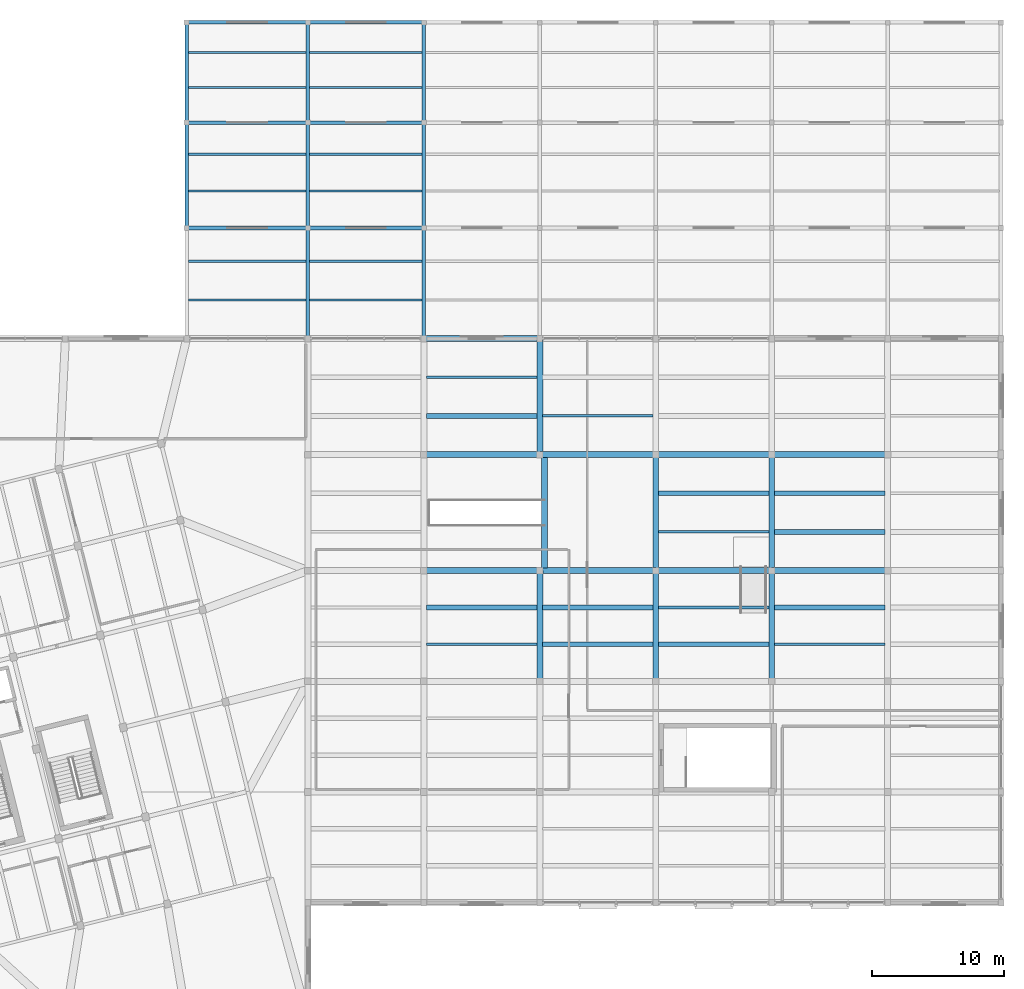
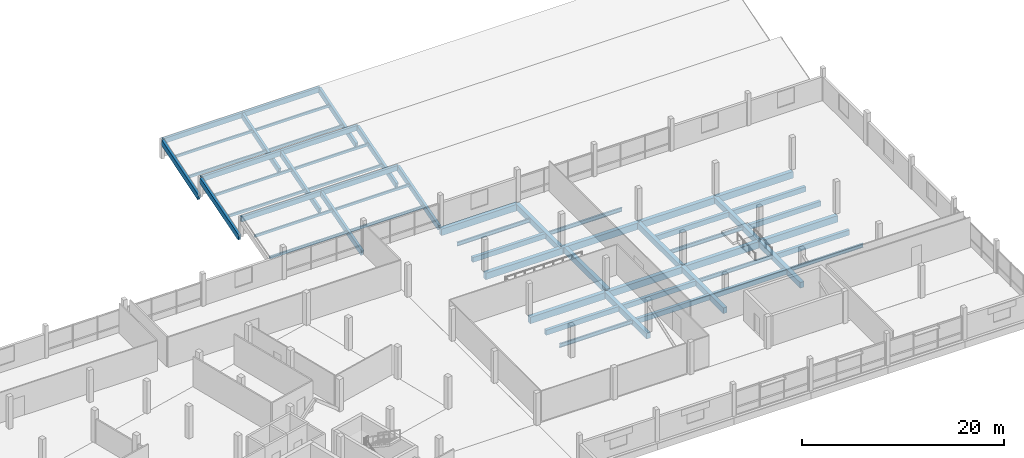
# One storey, part 42 of 62: 45 beams, 12 members.
"""IFC4 building model written with IfcOpenShell, lengths in metres."""

from ifc_helpers import new_model, si_unit, direction, frame, origin, origin_2d, place, context, subcontext, project, spatial, rectangle, i_section, extrude, material, material_profile, profile_set, type_object, element, save


model = new_model("IFC4")

# Units and contexts
model_context = context("Model", 3, precision=1e-05, world=origin(), true_north=direction((0.0, 1.0)))
body_context = subcontext(model_context, "Body", "Model", "MODEL_VIEW")
ifc_project = project(units=[si_unit("LENGTHUNIT", "METRE"), si_unit("AREAUNIT", "SQUARE_METRE"), si_unit("VOLUMEUNIT", "CUBIC_METRE"), si_unit("PLANEANGLEUNIT", "RADIAN"), si_unit("MASSUNIT", "GRAM", prefix="KILO")], contexts=[model_context])

# Site, building, storey
site_placement = place(None, origin())
site = spatial("IfcSite", under=ifc_project, at=site_placement, CompositionType="ELEMENT")
building_placement = place(site_placement, origin())
building = spatial("IfcBuilding", under=site, at=building_placement, Name="Meriwether Solvik Hall", CompositionType="ELEMENT")
storey_placement = place(building_placement, frame((0.0, 0.0, 14.39990234375)))
storey = spatial("IfcBuildingStorey", under=building, at=storey_placement, Name="L03", CompositionType="ELEMENT", Elevation=14.39990234375)

# Beams
ifc_material_1 = material(Name="Glulam Douglas-Fir 24F-V8 GL28h", Category="wood")
ifc_material_profile_1 = material_profile(ifc_material_1, rectangle(XDim=0.27294921875, YDim=0.610107421875, at=origin_2d()), Name="GLB-273X610")
ifc_profile_set_1 = profile_set([ifc_material_profile_1], Name="Glulam Douglas-Fir 24F-V8 GL28h")
beam_type_1 = type_object("IfcBeamType", Name="BM-GL-273X610", PredefinedType="SPANDREL", material=ifc_profile_set_1)
beam_1_placement = place(storey_placement, frame((105.0, 101.199951171875, 2.055908203125), z_axis=(1.0, 0.0, 0.0), x_axis=(0.0, 1.0, 0.0)))
element("IfcBeam", 1, at=beam_1_placement, inside=storey, type_object=beam_type_1, Name="Roof Tie Beam L:12-13 (L03)", PredefinedType="SPANDREL", context=body_context, shape_type="SweptSolid", body=[
    extrude(rectangle(XDim=0.27294921875, YDim=0.610107421875, at=origin_2d()), origin(), (0.0, 0.0, 1.0), 9.199951171875),
])
beam_2_placement = place(storey_placement, frame((114.199951171875, 101.199951171875, 2.055908203125), z_axis=(1.0, 0.0, 0.0), x_axis=(0.0, 1.0, 0.0)))
element("IfcBeam", 2, at=beam_2_placement, inside=storey, type_object=beam_type_1, Name="Roof Tie Beam L:13-14 (L03)", PredefinedType="SPANDREL", context=body_context, shape_type="SweptSolid", body=[
    extrude(rectangle(XDim=0.27294921875, YDim=0.610107421875, at=origin_2d()), origin(), (0.0, 0.0, 1.0), 8.800048828125),
])
beam_3_placement = place(storey_placement, frame((105.0, 109.199951171875, 2.05517578125), z_axis=(1.0, 0.0, 0.0), x_axis=(0.0, 1.0, 0.0)))
element("IfcBeam", 3, at=beam_3_placement, inside=storey, type_object=beam_type_1, Name="Roof Tie Beam M:12-13 (L03)", PredefinedType="SPANDREL", context=body_context, shape_type="SweptSolid", body=[
    extrude(rectangle(XDim=0.27294921875, YDim=0.610107421875, at=origin_2d()), origin(), (0.0, 0.0, 1.0), 9.199951171875),
])
beam_4_placement = place(storey_placement, frame((114.199951171875, 109.199951171875, 2.05517578125), z_axis=(1.0, 0.0, 0.0), x_axis=(0.0, 1.0, 0.0)))
element("IfcBeam", 4, at=beam_4_placement, inside=storey, type_object=beam_type_1, Name="Roof Tie Beam M:13-14 (L03)", PredefinedType="SPANDREL", context=body_context, shape_type="SweptSolid", body=[
    extrude(rectangle(XDim=0.27294921875, YDim=0.610107421875, at=origin_2d()), origin(), (0.0, 0.0, 1.0), 8.800048828125),
])
beam_5_placement = place(storey_placement, frame((105.0, 116.800048828125, 2.054443359375), z_axis=(1.0, 0.0, 0.0), x_axis=(0.0, 1.0, 0.0)))
element("IfcBeam", 5, at=beam_5_placement, inside=storey, type_object=beam_type_1, Name="Roof Tie Beam N:12-13 (L03)", PredefinedType="SPANDREL", context=body_context, shape_type="SweptSolid", body=[
    extrude(rectangle(XDim=0.27294921875, YDim=0.610107421875, at=origin_2d()), origin(), (0.0, 0.0, 1.0), 9.199951171875),
])
beam_6_placement = place(storey_placement, frame((114.199951171875, 116.800048828125, 2.054443359375), z_axis=(1.0, 0.0, 0.0), x_axis=(0.0, 1.0, 0.0)))
element("IfcBeam", 6, at=beam_6_placement, inside=storey, type_object=beam_type_1, Name="Roof Tie Beam N:13-14 (L03)", PredefinedType="SPANDREL", context=body_context, shape_type="SweptSolid", body=[
    extrude(rectangle(XDim=0.27294921875, YDim=0.610107421875, at=origin_2d()), origin(), (0.0, 0.0, 1.0), 8.800048828125),
])
ifc_material_2 = material(Name="Glulam Douglas-Fir 24F-V8 GL28h", Category="wood")
ifc_material_profile_2 = material_profile(ifc_material_2, rectangle(XDim=0.27294921875, YDim=0.68505859375, at=origin_2d()), Name="GLB-273X685")
ifc_profile_set_2 = profile_set([ifc_material_profile_2], Name="Glulam Douglas-Fir 24F-V8 GL28h")
beam_type_2 = type_object("IfcBeamType", Name="BM-GL-273X685", PredefinedType="BEAM", material=ifc_profile_set_2)
for number, where, z_axis, x_axis, name in (
    (7, (114.199951171875, 93.021484375, -0.3125), (0.0, 0.962120295862, 0.272625267155), (-1.0, 0.0, 0.0), "Raking Glulam Roof Rafter w2_saw_1-13 (L03)"),
    (8, (123.0, 93.021484375, -0.3125), (0.0, 0.962120295862, 0.272625267155), (-1.0, 0.0, 0.0), "Raking Glulam Roof Rafter w2_saw_1-14 (L03)"),
):
    element("IfcBeam", number, at=place(storey_placement, frame(where, z_axis=z_axis, x_axis=x_axis)), inside=storey, type_object=beam_type_2, Name=name, PredefinedType="BEAM", context=body_context, shape_type="SweptSolid", body=[
        extrude(rectangle(XDim=0.27294921875, YDim=0.68505859375, at=origin_2d()), origin(), (0.0, 0.0, 1.0), 8.46435546875),
    ])
for number, where, z_axis, x_axis, name in (
    (9, (105.0, 101.42578125, -0.31005859375), (0.0, 0.958478334476, 0.285165359641), (-1.0, 0.0, 0.0), "Raking Glulam Roof Rafter w2_saw_2-12 (L03)"),
    (10, (114.199951171875, 101.42578125, -0.31005859375), (0.0, 0.958478334476, 0.285165359641), (-1.0, 0.0, 0.0), "Raking Glulam Roof Rafter w2_saw_2-13 (L03)"),
    (11, (123.0, 101.42578125, -0.31005859375), (0.0, 0.958478334476, 0.285165359641), (-1.0, 0.0, 0.0), "Raking Glulam Roof Rafter w2_saw_2-14 (L03)"),
):
    element("IfcBeam", number, at=place(storey_placement, frame(where, z_axis=z_axis, x_axis=x_axis)), inside=storey, type_object=beam_type_2, Name=name, PredefinedType="BEAM", context=body_context, shape_type="SweptSolid", body=[
        extrude(rectangle(XDim=0.27294921875, YDim=0.68505859375, at=origin_2d()), origin(), (0.0, 0.0, 1.0), 8.079345703125),
    ])
for number, where, z_axis, x_axis, name in (
    (12, (105.0, 109.430419921875, -0.307373046875), (0.0, 0.954301993673, 0.298843947356), (-1.0, 0.0, 0.0), "Raking Glulam Roof Rafter w2_saw_3-12 (L03)"),
    (13, (114.199951171875, 109.430419921875, -0.307373046875), (0.0, 0.954301993673, 0.298843947356), (-1.0, 0.0, 0.0), "Raking Glulam Roof Rafter w2_saw_3-13 (L03)"),
    (14, (123.0, 109.430419921875, -0.307373046875), (0.0, 0.954301993673, 0.298843947356), (-1.0, 0.0, 0.0), "Raking Glulam Roof Rafter w2_saw_3-14 (L03)"),
):
    element("IfcBeam", number, at=place(storey_placement, frame(where, z_axis=z_axis, x_axis=x_axis)), inside=storey, type_object=beam_type_2, Name=name, PredefinedType="BEAM", context=body_context, shape_type="SweptSolid", body=[
        extrude(rectangle(XDim=0.27294921875, YDim=0.68505859375, at=origin_2d()), origin(), (0.0, 0.0, 1.0), 7.695556640625),
    ])
ifc_material_3 = material(Name="Concrete C40/50", Category="concrete")
ifc_material_profile_3 = material_profile(ifc_material_3, rectangle(XDim=0.35009765625, YDim=0.60009765625, at=origin_2d()), Name="RCB-350X600")
ifc_profile_set_3 = profile_set([ifc_material_profile_3], Name="Concrete C40/50")
beam_type_3 = type_object("IfcBeamType", Name="BM-RC-350X600", PredefinedType="JOIST", material=ifc_profile_set_3)
for number, where, z_axis, x_axis, name in (
    (15, (123.219970703125, 72.39990234375, -0.544921875), (1.0, 0.0, 0.0), (0.0, 1.0, 0.0), "Secondary Floor Joist 14/H_J2 (L03)"),
    (16, (123.219970703125, 86.933349609375, -0.544921875), (1.0, 0.0, 0.0), (0.0, 1.0, 0.0), "Secondary Floor Joist 14/J_J1 (L03)"),
):
    element("IfcBeam", number, at=place(storey_placement, frame(where, z_axis=z_axis, x_axis=x_axis)), inside=storey, type_object=beam_type_3, Name=name, PredefinedType="JOIST", context=body_context, shape_type="SweptSolid", body=[
        extrude(rectangle(XDim=0.35009765625, YDim=0.60009765625, at=origin_2d()), origin(), (0.0, 0.0, 1.0), 8.360107421875),
    ])
for number, where, z_axis, x_axis, name in (
    (17, (132.02001953125, 69.60009765625, -0.544921875), (1.0, 0.0, 0.0), (0.0, 1.0, 0.0), "Secondary Floor Joist 15/H_J1 (L03)"),
    (18, (132.02001953125, 72.39990234375, -0.544921875), (1.0, 0.0, 0.0), (0.0, 1.0, 0.0), "Secondary Floor Joist 15/H_J2 (L03)"),
    (19, (140.820068359375, 69.60009765625, -0.544921875), (1.0, 0.0, 0.0), (0.0, 1.0, 0.0), "Secondary Floor Joist 16/H_J1 (L03)"),
    (20, (140.820068359375, 81.066650390625, -0.544921875), (1.0, 0.0, 0.0), (0.0, 1.0, 0.0), "Secondary Floor Joist 16/I_J2 (L03)"),
    (21, (149.6201171875, 72.39990234375, -0.544921875), (1.0, 0.0, 0.0), (0.0, 1.0, 0.0), "Secondary Floor Joist 17/H_J2 (L03)"),
    (22, (149.6201171875, 78.13330078125, -0.544921875), (1.0, 0.0, 0.0), (0.0, 1.0, 0.0), "Secondary Floor Joist 17/I_J1 (L03)"),
    (23, (149.6201171875, 81.066650390625, -0.544921875), (1.0, 0.0, 0.0), (0.0, 1.0, 0.0), "Secondary Floor Joist 17/I_J2 (L03)"),
):
    element("IfcBeam", number, at=place(storey_placement, frame(where, z_axis=z_axis, x_axis=x_axis)), inside=storey, type_object=beam_type_3, Name=name, PredefinedType="JOIST", context=body_context, shape_type="SweptSolid", body=[
        extrude(rectangle(XDim=0.35009765625, YDim=0.60009765625, at=origin_2d()), origin(), (0.0, 0.0, 1.0), 8.35986328125),
    ])
ifc_material_4 = material(Name="Concrete C40/50", Category="concrete")
ifc_material_profile_4 = material_profile(ifc_material_4, rectangle(XDim=0.449951171875, YDim=0.699951171875, at=origin_2d()), Name="RCB-450X700")
ifc_profile_set_4 = profile_set([ifc_material_profile_4], Name="Concrete C40/50")
beam_type_4 = type_object("IfcBeamType", Name="BM-RC-450X700", PredefinedType="BEAM", material=ifc_profile_set_4)
beam_7_placement = place(storey_placement, frame((131.800048828125, 66.800048828125, -0.594970703125), z_axis=(0.0, 1.0, 0.0), x_axis=(-1.0, 0.0, 0.0)))
element("IfcBeam", 24, at=beam_7_placement, inside=storey, type_object=beam_type_4, Name="Podium Girder 15:H-I (L03)", PredefinedType="BEAM", context=body_context, shape_type="SweptSolid", body=[
    extrude(rectangle(XDim=0.449951171875, YDim=0.699951171875, at=origin_2d()), origin(), (0.0, 0.0, 1.0), 8.39990234375),
])
beam_8_placement = place(storey_placement, frame((131.800048828125, 84.0, -0.594970703125), z_axis=(0.0, 1.0, 0.0), x_axis=(-1.0, 0.0, 0.0)))
element("IfcBeam", 25, at=beam_8_placement, inside=storey, type_object=beam_type_4, Name="Podium Girder 15:J-K (L03)", PredefinedType="BEAM", context=body_context, shape_type="SweptSolid", body=[
    extrude(rectangle(XDim=0.449951171875, YDim=0.699951171875, at=origin_2d()), origin(), (0.0, 0.0, 1.0), 8.800048828125),
])
beam_9_placement = place(storey_placement, frame((140.60009765625, 66.800048828125, -0.594970703125), z_axis=(0.0, 1.0, 0.0), x_axis=(-1.0, 0.0, 0.0)))
element("IfcBeam", 26, at=beam_9_placement, inside=storey, type_object=beam_type_4, Name="Podium Girder 16:H-I (L03)", PredefinedType="BEAM", context=body_context, shape_type="SweptSolid", body=[
    extrude(rectangle(XDim=0.449951171875, YDim=0.699951171875, at=origin_2d()), origin(), (0.0, 0.0, 1.0), 8.39990234375),
])
beam_10_placement = place(storey_placement, frame((140.60009765625, 75.199951171875, -0.594970703125), z_axis=(0.0, 1.0, 0.0), x_axis=(-1.0, 0.0, 0.0)))
element("IfcBeam", 27, at=beam_10_placement, inside=storey, type_object=beam_type_4, Name="Podium Girder 16:I-J (L03)", PredefinedType="BEAM", context=body_context, shape_type="SweptSolid", body=[
    extrude(rectangle(XDim=0.449951171875, YDim=0.699951171875, at=origin_2d()), origin(), (0.0, 0.0, 1.0), 8.800048828125),
])
beam_11_placement = place(storey_placement, frame((149.39990234375, 66.800048828125, -0.594970703125), z_axis=(0.0, 1.0, 0.0), x_axis=(-1.0, 0.0, 0.0)))
element("IfcBeam", 28, at=beam_11_placement, inside=storey, type_object=beam_type_4, Name="Podium Girder 17:H-I (L03)", PredefinedType="BEAM", context=body_context, shape_type="SweptSolid", body=[
    extrude(rectangle(XDim=0.449951171875, YDim=0.699951171875, at=origin_2d()), origin(), (0.0, 0.0, 1.0), 8.39990234375),
])
beam_12_placement = place(storey_placement, frame((149.39990234375, 75.199951171875, -0.594970703125), z_axis=(0.0, 1.0, 0.0), x_axis=(-1.0, 0.0, 0.0)))
element("IfcBeam", 29, at=beam_12_placement, inside=storey, type_object=beam_type_4, Name="Podium Girder 17:I-J (L03)", PredefinedType="BEAM", context=body_context, shape_type="SweptSolid", body=[
    extrude(rectangle(XDim=0.449951171875, YDim=0.699951171875, at=origin_2d()), origin(), (0.0, 0.0, 1.0), 8.800048828125),
])
beam_13_placement = place(storey_placement, frame((132.169921875, 75.4150390625, -0.594970703125), z_axis=(0.0, 1.0, 0.0), x_axis=(-1.0, 0.0, 0.0)))
element("IfcBeam", 30, at=beam_13_placement, inside=storey, type_object=beam_type_4, Name="Stair ST-LB3 Top Trimmer Beam", PredefinedType="BEAM", context=body_context, shape_type="SweptSolid", body=[
    extrude(rectangle(XDim=0.449951171875, YDim=0.699951171875, at=origin_2d()), origin(), (0.0, 0.0, 1.0), 8.369873046875),
])
ifc_material_5 = material(Name="Concrete C40/50", Category="concrete")
ifc_material_profile_5 = material_profile(ifc_material_5, rectangle(XDim=0.449951171875, YDim=0.800048828125, at=origin_2d()), Name="RCB-450X800")
ifc_profile_set_5 = profile_set([ifc_material_profile_5], Name="Concrete C40/50")
beam_type_5 = type_object("IfcBeamType", Name="BM-RC-450X800", PredefinedType="BEAM", material=ifc_profile_set_5)
for number, where, z_axis, x_axis, name in (
    (31, (123.0, 75.199951171875, -0.64501953125), (1.0, 0.0, 0.0), (0.0, 1.0, 0.0), "Podium Girder I:14-15 (L03)"),
    (32, (131.800048828125, 75.199951171875, -0.64501953125), (1.0, 0.0, 0.0), (0.0, 1.0, 0.0), "Podium Girder I:15-16 (L03)"),
):
    element("IfcBeam", number, at=place(storey_placement, frame(where, z_axis=z_axis, x_axis=x_axis)), inside=storey, type_object=beam_type_5, Name=name, PredefinedType="BEAM", context=body_context, shape_type="SweptSolid", body=[
        extrude(rectangle(XDim=0.449951171875, YDim=0.800048828125, at=origin_2d()), origin(), (0.0, 0.0, 1.0), 8.800048828125),
    ])
beam_14_placement = place(storey_placement, frame((140.60009765625, 75.199951171875, -0.64501953125), z_axis=(1.0, 0.0, 0.0), x_axis=(0.0, 1.0, 0.0)))
element("IfcBeam", 33, at=beam_14_placement, inside=storey, type_object=beam_type_5, Name="Podium Girder I:16-17 (L03)", PredefinedType="BEAM", context=body_context, shape_type="SweptSolid", body=[
    extrude(rectangle(XDim=0.449951171875, YDim=0.800048828125, at=origin_2d()), origin(), (0.0, 0.0, 1.0), 8.7998046875),
])
for number, where, z_axis, x_axis, name in (
    (34, (149.39990234375, 75.199951171875, -0.64501953125), (1.0, 0.0, 0.0), (0.0, 1.0, 0.0), "Podium Girder I:17-18 (L03)"),
    (35, (123.0, 84.0, -0.64501953125), (1.0, 0.0, 0.0), (0.0, 1.0, 0.0), "Podium Girder J:14-15 (L03)"),
    (36, (131.800048828125, 84.0, -0.64501953125), (1.0, 0.0, 0.0), (0.0, 1.0, 0.0), "Podium Girder J:15-16 (L03)"),
):
    element("IfcBeam", number, at=place(storey_placement, frame(where, z_axis=z_axis, x_axis=x_axis)), inside=storey, type_object=beam_type_5, Name=name, PredefinedType="BEAM", context=body_context, shape_type="SweptSolid", body=[
        extrude(rectangle(XDim=0.449951171875, YDim=0.800048828125, at=origin_2d()), origin(), (0.0, 0.0, 1.0), 8.800048828125),
    ])
beam_15_placement = place(storey_placement, frame((140.60009765625, 84.0, -0.64501953125), z_axis=(1.0, 0.0, 0.0), x_axis=(0.0, 1.0, 0.0)))
element("IfcBeam", 37, at=beam_15_placement, inside=storey, type_object=beam_type_5, Name="Podium Girder J:16-17 (L03)", PredefinedType="BEAM", context=body_context, shape_type="SweptSolid", body=[
    extrude(rectangle(XDim=0.449951171875, YDim=0.800048828125, at=origin_2d()), origin(), (0.0, 0.0, 1.0), 8.7998046875),
])
for number, where, z_axis, x_axis, name in (
    (38, (149.39990234375, 84.0, -0.64501953125), (1.0, 0.0, 0.0), (0.0, 1.0, 0.0), "Podium Girder J:17-18 (L03)"),
    (39, (123.0, 92.800048828125, -0.64501953125), (1.0, 0.0, 0.0), (0.0, 1.0, 0.0), "Podium Girder K:14-15 (L03)"),
):
    element("IfcBeam", number, at=place(storey_placement, frame(where, z_axis=z_axis, x_axis=x_axis)), inside=storey, type_object=beam_type_5, Name=name, PredefinedType="BEAM", context=body_context, shape_type="SweptSolid", body=[
        extrude(rectangle(XDim=0.449951171875, YDim=0.800048828125, at=origin_2d()), origin(), (0.0, 0.0, 1.0), 8.800048828125),
    ])
ifc_material_6 = material(Name="Steel A992 Grade 50", Category="steel")
ifc_material_profile_6 = material_profile(ifc_material_6, i_section(OverallWidth=0.19091796875, OverallDepth=0.45703125, WebThickness=0.009033203125, FlangeThickness=0.014404296875, at=origin_2d()), Name="W18X50")
ifc_profile_set_6 = profile_set([ifc_material_profile_6], Name="Steel A992 Grade 50")
beam_type_6 = type_object("IfcBeamType", Name="BM-STL-W18X50", PredefinedType="JOIST", material=ifc_profile_set_6)
for number, where, z_axis, x_axis, name in (
    (40, (123.219970703125, 69.60009765625, -0.473388671875), (1.0, 0.0, 0.0), (0.0, 1.0, 0.0), "Secondary Floor Joist 14/H_J1 (L03)"),
    (41, (123.219970703125, 89.86669921875, -0.473388671875), (1.0, 0.0, 0.0), (0.0, 1.0, 0.0), "Secondary Floor Joist 14/J_J2 (L03)"),
):
    element("IfcBeam", number, at=place(storey_placement, frame(where, z_axis=z_axis, x_axis=x_axis)), inside=storey, type_object=beam_type_6, Name=name, PredefinedType="JOIST", context=body_context, shape_type="SweptSolid", body=[
        extrude(i_section(OverallWidth=0.19091796875, OverallDepth=0.45703125, WebThickness=0.009033203125, FlangeThickness=0.014404296875, at=origin_2d()), origin(), (0.0, 0.0, 1.0), 8.360107421875),
    ])
for number, where, z_axis, x_axis, name in (
    (42, (132.02001953125, 86.933349609375, -0.473388671875), (1.0, 0.0, 0.0), (0.0, 1.0, 0.0), "Secondary Floor Joist 15/J_J1 (L03)"),
    (43, (140.820068359375, 72.39990234375, -0.473388671875), (1.0, 0.0, 0.0), (0.0, 1.0, 0.0), "Secondary Floor Joist 16/H_J2 (L03)"),
    (44, (140.820068359375, 78.13330078125, -0.473388671875), (1.0, 0.0, 0.0), (0.0, 1.0, 0.0), "Secondary Floor Joist 16/I_J1 (L03)"),
    (45, (149.6201171875, 69.60009765625, -0.473388671875), (1.0, 0.0, 0.0), (0.0, 1.0, 0.0), "Secondary Floor Joist 17/H_J1 (L03)"),
):
    element("IfcBeam", number, at=place(storey_placement, frame(where, z_axis=z_axis, x_axis=x_axis)), inside=storey, type_object=beam_type_6, Name=name, PredefinedType="JOIST", context=body_context, shape_type="SweptSolid", body=[
        extrude(i_section(OverallWidth=0.19091796875, OverallDepth=0.45703125, WebThickness=0.009033203125, FlangeThickness=0.014404296875, at=origin_2d()), origin(), (0.0, 0.0, 1.0), 8.35986328125),
    ])

# Members
ifc_material_7 = material(Name="Glulam Douglas-Fir 24F-V8 GL28h", Category="wood")
ifc_material_profile_7 = material_profile(ifc_material_7, rectangle(XDim=0.175048828125, YDim=0.304931640625, at=origin_2d()), Name="GLM-175X305")
ifc_profile_set_7 = profile_set([ifc_material_profile_7], Name="Glulam Douglas-Fir 24F-V8 GL28h")
member_type = type_object("IfcMemberType", Name="MEM-PRL-GL175", PredefinedType="PURLIN", material=ifc_profile_set_7)
for number, where, z_axis, x_axis, name in (
    (46, (105.132568359375, 95.739990234375, 0.661376953125), (1.0, 0.0, 0.0), (0.0, 1.0, 0.0), "Sloped Roof Glulam Purlin w2_saw_1-1.1"),
    (47, (105.132568359375, 98.679931640625, 1.494384765625), (1.0, 0.0, 0.0), (0.0, 1.0, 0.0), "Sloped Roof Glulam Purlin w2_saw_1-1.2"),
):
    element("IfcMember", number, at=place(storey_placement, frame(where, z_axis=z_axis, x_axis=x_axis)), inside=storey, type_object=member_type, Name=name, PredefinedType="PURLIN", context=body_context, shape_type="SweptSolid", body=[
        extrude(rectangle(XDim=0.175048828125, YDim=0.304931640625, at=origin_2d()), origin(), (0.0, 0.0, 1.0), 8.934814453125),
    ])
for number, where, z_axis, x_axis, name in (
    (48, (114.33251953125, 95.739990234375, 0.661376953125), (1.0, 0.0, 0.0), (0.0, 1.0, 0.0), "Sloped Roof Glulam Purlin w2_saw_1-2.1"),
    (49, (114.33251953125, 98.679931640625, 1.494384765625), (1.0, 0.0, 0.0), (0.0, 1.0, 0.0), "Sloped Roof Glulam Purlin w2_saw_1-2.2"),
):
    element("IfcMember", number, at=place(storey_placement, frame(where, z_axis=z_axis, x_axis=x_axis)), inside=storey, type_object=member_type, Name=name, PredefinedType="PURLIN", context=body_context, shape_type="SweptSolid", body=[
        extrude(rectangle(XDim=0.175048828125, YDim=0.304931640625, at=origin_2d()), origin(), (0.0, 0.0, 1.0), 8.534912109375),
    ])
for number, where, z_axis, x_axis, name in (
    (50, (105.132568359375, 104.0, 0.66064453125), (1.0, 0.0, 0.0), (0.0, 1.0, 0.0), "Sloped Roof Glulam Purlin w2_saw_2-1.1"),
    (51, (105.132568359375, 106.800048828125, 1.49365234375), (1.0, 0.0, 0.0), (0.0, 1.0, 0.0), "Sloped Roof Glulam Purlin w2_saw_2-1.2"),
):
    element("IfcMember", number, at=place(storey_placement, frame(where, z_axis=z_axis, x_axis=x_axis)), inside=storey, type_object=member_type, Name=name, PredefinedType="PURLIN", context=body_context, shape_type="SweptSolid", body=[
        extrude(rectangle(XDim=0.175048828125, YDim=0.304931640625, at=origin_2d()), origin(), (0.0, 0.0, 1.0), 8.934814453125),
    ])
for number, where, z_axis, x_axis, name in (
    (52, (114.33251953125, 104.0, 0.66064453125), (1.0, 0.0, 0.0), (0.0, 1.0, 0.0), "Sloped Roof Glulam Purlin w2_saw_2-2.1"),
    (53, (114.33251953125, 106.800048828125, 1.49365234375), (1.0, 0.0, 0.0), (0.0, 1.0, 0.0), "Sloped Roof Glulam Purlin w2_saw_2-2.2"),
):
    element("IfcMember", number, at=place(storey_placement, frame(where, z_axis=z_axis, x_axis=x_axis)), inside=storey, type_object=member_type, Name=name, PredefinedType="PURLIN", context=body_context, shape_type="SweptSolid", body=[
        extrude(rectangle(XDim=0.175048828125, YDim=0.304931640625, at=origin_2d()), origin(), (0.0, 0.0, 1.0), 8.534912109375),
    ])
for number, where, z_axis, x_axis, name in (
    (54, (105.132568359375, 111.860107421875, 0.659912109375), (1.0, 0.0, 0.0), (0.0, 1.0, 0.0), "Sloped Roof Glulam Purlin w2_saw_3-1.1"),
    (55, (105.132568359375, 114.52001953125, 1.492919921875), (1.0, 0.0, 0.0), (0.0, 1.0, 0.0), "Sloped Roof Glulam Purlin w2_saw_3-1.2"),
):
    element("IfcMember", number, at=place(storey_placement, frame(where, z_axis=z_axis, x_axis=x_axis)), inside=storey, type_object=member_type, Name=name, PredefinedType="PURLIN", context=body_context, shape_type="SweptSolid", body=[
        extrude(rectangle(XDim=0.175048828125, YDim=0.304931640625, at=origin_2d()), origin(), (0.0, 0.0, 1.0), 8.934814453125),
    ])
for number, where, z_axis, x_axis, name in (
    (56, (114.33251953125, 111.860107421875, 0.659912109375), (1.0, 0.0, 0.0), (0.0, 1.0, 0.0), "Sloped Roof Glulam Purlin w2_saw_3-2.1"),
    (57, (114.33251953125, 114.52001953125, 1.492919921875), (1.0, 0.0, 0.0), (0.0, 1.0, 0.0), "Sloped Roof Glulam Purlin w2_saw_3-2.2"),
):
    element("IfcMember", number, at=place(storey_placement, frame(where, z_axis=z_axis, x_axis=x_axis)), inside=storey, type_object=member_type, Name=name, PredefinedType="PURLIN", context=body_context, shape_type="SweptSolid", body=[
        extrude(rectangle(XDim=0.175048828125, YDim=0.304931640625, at=origin_2d()), origin(), (0.0, 0.0, 1.0), 8.534912109375),
    ])

save(model, "model.ifc")
